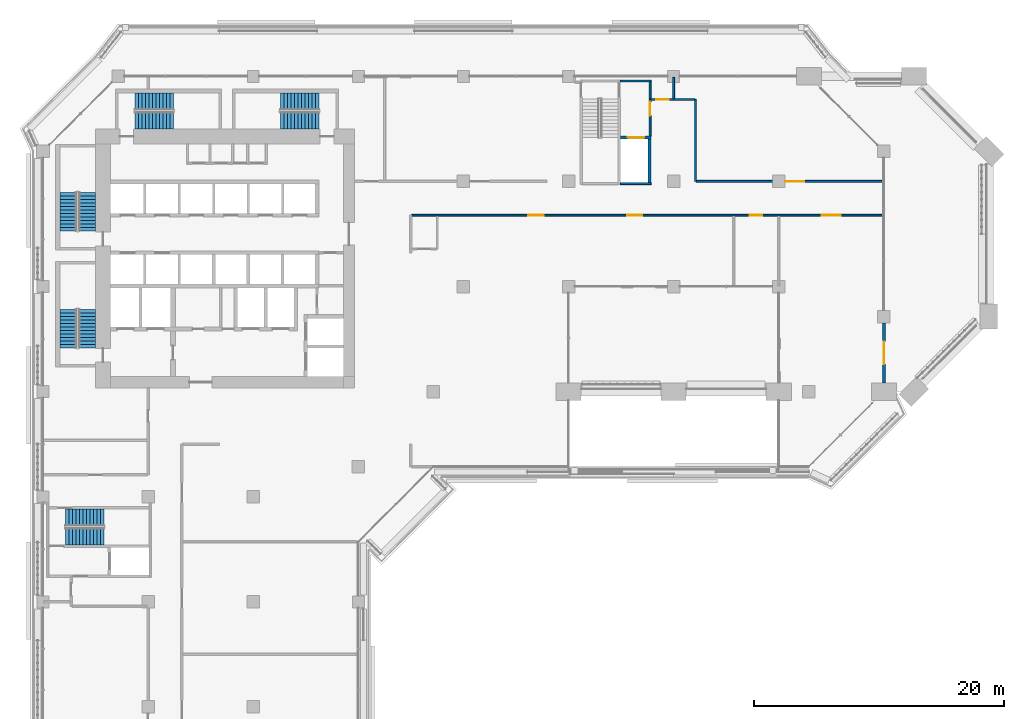
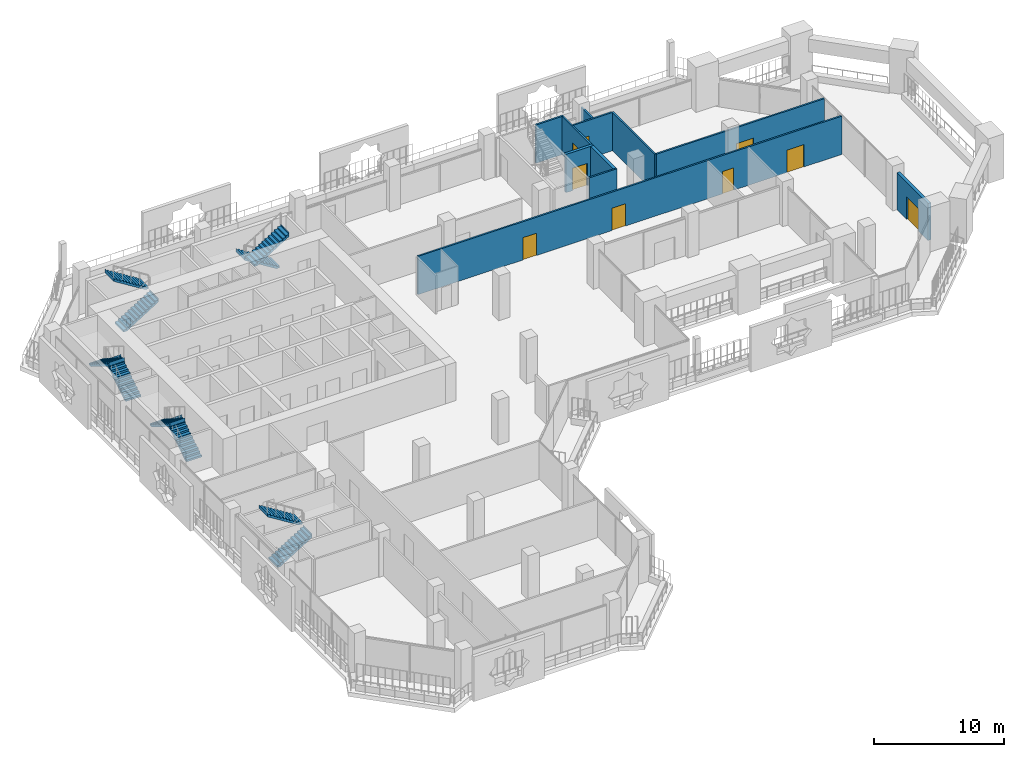
# One storey, part 14 of 23: 11 walls, 10 stair flights, 9 doors, 9 openings, 5 elements without a shape of their own.
"""IFC4 building model written with IfcOpenShell, lengths in metres."""

from ifc_helpers import new_model, si_unit, direction, frame, frame_2d, origin, place, context, subcontext, project, spatial, polyline, rectangle, outline, extrude, material, layer, layer_set, type_object, element, fill, aggregate, save


model = new_model("IFC4")

# Units and contexts
model_context = context("Model", 3, precision=1e-05, world=origin(), true_north=direction((0.0, 1.0)))
body_context = subcontext(model_context, "Body", "Model", "MODEL_VIEW")
ifc_project = project(units=[si_unit("LENGTHUNIT", "METRE"), si_unit("AREAUNIT", "SQUARE_METRE"), si_unit("VOLUMEUNIT", "CUBIC_METRE"), si_unit("PLANEANGLEUNIT", "RADIAN"), si_unit("MASSUNIT", "GRAM", prefix="KILO")], contexts=[model_context])

# Site, building, storey
site_placement = place(None, origin())
site = spatial("IfcSite", under=ifc_project, at=site_placement, CompositionType="ELEMENT")
building_placement = place(site_placement, origin())
building = spatial("IfcBuilding", under=site, at=building_placement, Name="Kawkab Arch Medical Tower", CompositionType="ELEMENT")
storey_placement = place(building_placement, frame((0.0, 0.0, 158.39990234375)))
storey = spatial("IfcBuildingStorey", under=building, at=storey_placement, Name="L36", CompositionType="ELEMENT", Elevation=158.39990234375)

# Wall, opening, door
ifc_material_1 = material(Name="Gypsum board on steel studs", Category="steel")
ifc_layer_1 = layer(ifc_material_1, 0.14990234375)
ifc_layer_set_1 = layer_set([ifc_layer_1], Name="Gypsum board on steel studs")
wall_type_1 = type_object("IfcWallType", Name="Core room partition 150", PredefinedType="PARTITIONING", material=ifc_layer_set_1)
wall_1_placement = place(storey_placement, frame((48.52490234375, -4.77490234375, 0.0), z_axis=(0.0, 0.0, 1.0), x_axis=(0.0, 1.0, 0.0)))
wall_1 = element("IfcWall", 1, at=wall_1_placement, inside=storey, type_object=wall_type_1, Name="L36 core room partition", PredefinedType="PARTITIONING", context=body_context, shape_type="SweptSolid", body=[
    extrude(rectangle(XDim=4.324951171875, YDim=0.14990234375, at=frame_2d((2.16259765625, 0.0))), origin(), (0.0, 0.0, 1.0), 3.60009765625),
])
opening_1_placement = place(wall_1_placement, frame((1.625, 0.0, 0.0)))
opening_1 = element("IfcOpeningElement", 2, at=opening_1_placement, cuts=wall_1, Name="Opening FD", PredefinedType="OPENING", context=body_context, shape_type="SweptSolid", body=[
    extrude(rectangle(XDim=1.10009765625, YDim=2.10009765625, at=frame_2d((0.550048828125, 1.050048828125))), frame((0.0, 0.0849609375, 0.0), z_axis=(0.0, -1.0, 0.0), x_axis=(1.0, 0.0, 0.0)), (0.0, 0.0, 1.0), 0.169921875),
])
ifc_material_2 = material(Name="Hollow metal fire door leaf")
door_type_1 = type_object("IfcDoorType", Name="Firefighting lobby door 1100", OperationType="SINGLE_SWING_LEFT", PredefinedType="DOOR", material=ifc_material_2)
door_1_placement = place(opening_1_placement, origin())
door_1 = element("IfcDoor", 3, at=door_1_placement, inside=storey, type_object=door_type_1, Name="L36 Service lift lobby door SV1", OperationType="SINGLE_SWING_LEFT", OverallHeight=2.10009765625, OverallWidth=1.10009765625, PredefinedType="DOOR", context=body_context, shape_type="SweptSolid", body=[
    extrude(rectangle(XDim=1.10009765625, YDim=2.10009765625, at=frame_2d((0.550048828125, 1.050048828125))), frame((0.0, 0.02490234375, 0.0), z_axis=(0.0, -1.0, 0.0), x_axis=(1.0, 0.0, 0.0)), (0.0, 0.0, 1.0), 0.050048828125),
])
fill(opening_1, door_1)

ifc_material_3 = material(Name="Concrete C60/75", Category="concrete")
ifc_layer_2 = layer(ifc_material_3, 0.25)
ifc_layer_set_2 = layer_set([ifc_layer_2], Name="Concrete C60/75")
wall_type_2 = type_object("IfcWallType", Name="Core shear wall 250 C60/75", PredefinedType="SHEAR", material=ifc_layer_set_2)
wall_2_placement = place(storey_placement, frame((46.14990234375, -4.89990234375, 0.0), z_axis=(0.0, 0.0, 1.0), x_axis=(1.0, 0.0, 0.0)))
wall_2 = element("IfcWall", 4, at=wall_2_placement, inside=storey, type_object=wall_type_2, Name="L36 core shear wall", PredefinedType="SHEAR", context=body_context, shape_type="SweptSolid", body=[
    extrude(rectangle(XDim=2.4501953125, YDim=0.25, at=frame_2d((1.22509765625, 0.0))), origin(), (0.0, 0.0, 1.0), 3.60009765625),
])
opening_2_placement = place(wall_2_placement, frame((0.60009765625, 0.0, 0.0)))
opening_2 = element("IfcOpeningElement", 5, at=opening_2_placement, cuts=wall_2, Name="Opening LD2", PredefinedType="OPENING", context=body_context, shape_type="SweptSolid", body=[
    extrude(rectangle(XDim=1.300048828125, YDim=2.10009765625, at=frame_2d((0.64990234375, 1.050048828125))), frame((0.0, 0.135009765625, 0.0), z_axis=(0.0, -1.0, 0.0), x_axis=(1.0, 0.0, 0.0)), (0.0, 0.0, 1.0), 0.27001953125),
])
ifc_material_4 = material(Name="Stainless steel lift door leaf", Category="steel")
door_type_2 = type_object("IfcDoorType", Name="Lift landing door 1300", OperationType="DOUBLE_DOOR_SLIDING", PredefinedType="DOOR", material=ifc_material_4)
door_2_placement = place(opening_2_placement, origin())
door_2 = element("IfcDoor", 6, at=door_2_placement, inside=storey, type_object=door_type_2, Name="L36 Lift landing door SV1", OperationType="DOUBLE_DOOR_SLIDING", OverallHeight=2.10009765625, OverallWidth=1.300048828125, PredefinedType="DOOR", context=body_context, shape_type="SweptSolid", body=[
    extrude(rectangle(XDim=1.300048828125, YDim=2.10009765625, at=frame_2d((0.64990234375, 1.050048828125))), frame((0.0, 0.02490234375, 0.0), z_axis=(0.0, -1.0, 0.0), x_axis=(1.0, 0.0, 0.0)), (0.0, 0.0, 1.0), 0.050048828125),
])
fill(opening_2, door_2)

# Wall
wall_3_placement = place(storey_placement, frame((48.47509765625, -8.5, 0.0), z_axis=(0.0, 0.0, 1.0), x_axis=(0.0, 1.0, 0.0)))
element("IfcWall", 7, at=wall_3_placement, inside=storey, type_object=wall_type_2, Name="L36 core shear wall", PredefinedType="SHEAR", context=body_context, shape_type="SweptSolid", body=[
    extrude(rectangle(XDim=3.47509765625, YDim=0.25, at=frame_2d((1.737548828125, 0.0))), origin(), (0.0, 0.0, 1.0), 3.60009765625),
])

# Wall, opening, door
ifc_material_5 = material(Name="Bronze clad insulated wall panel")
ifc_layer_3 = layer(ifc_material_5, 0.25)
ifc_layer_set_3 = layer_set([ifc_layer_3], Name="Bronze clad insulated wall panel")
wall_type_3 = type_object("IfcWallType", Name="External wall bay 250", PredefinedType="SOLIDWALL", material=ifc_layer_set_3)
wall_4_placement = place(storey_placement, frame((67.199951171875, -24.5, 0.0), z_axis=(0.0, 0.0, 1.0), x_axis=(0.0, 1.0, 0.0)))
wall_4 = element("IfcWall", 8, at=wall_4_placement, inside=storey, type_object=wall_type_3, Name="External wall bay L36.R07.1.1", PredefinedType="SOLIDWALL", context=body_context, shape_type="SweptSolid", body=[
    extrude(rectangle(XDim=4.800048828125, YDim=0.25, at=frame_2d((2.39990234375, 0.0))), origin(), (0.0, 0.0, 1.0), 3.47998046875),
])
opening_3_placement = place(wall_4_placement, frame((1.5, 0.0, 0.0)))
opening_3 = element("IfcOpeningElement", 9, at=opening_3_placement, cuts=wall_4, Name="Opening B36-701", PredefinedType="OPENING", context=body_context, shape_type="SweptSolid", body=[
    extrude(rectangle(XDim=1.800048828125, YDim=2.10009765625, at=frame_2d((0.89990234375, 1.050048828125))), frame((0.0, 0.135009765625, 0.0), z_axis=(0.0, -1.0, 0.0), x_axis=(1.0, 0.0, 0.0)), (0.0, 0.0, 1.0), 0.27001953125),
])
ifc_material_6 = material(Name="Bronze anodised aluminium door with tinted glass", Category="aluminium")
door_type_3 = type_object("IfcDoorType", Name="Double external door 1800 x 2100", OperationType="DOUBLE_DOOR_SINGLE_SWING", PredefinedType="DOOR", material=ifc_material_6)
door_3_placement = place(opening_3_placement, origin())
door_3 = element("IfcDoor", 10, at=door_3_placement, inside=storey, type_object=door_type_3, Name="External door L36.R07.1.1", OperationType="DOUBLE_DOOR_SINGLE_SWING", OverallHeight=2.10009765625, OverallWidth=1.800048828125, PredefinedType="DOOR", context=body_context, shape_type="SweptSolid", body=[
    extrude(rectangle(XDim=1.800048828125, YDim=2.10009765625, at=frame_2d((0.89990234375, 1.050048828125))), frame((0.0, 0.02490234375, 0.0), z_axis=(0.0, -1.0, 0.0), x_axis=(1.0, 0.0, 0.0)), (0.0, 0.0, 1.0), 0.050048828125),
])
fill(opening_3, door_3)

# Wall, openings, doors
ifc_material_7 = material(Name="Gypsum board partition on steel studs, mineral wool", Category="steel")
ifc_layer_4 = layer(ifc_material_7, 0.14990234375)
ifc_layer_set_4 = layer_set([ifc_layer_4], Name="Gypsum board partition on steel studs, mineral wool")
wall_type_4 = type_object("IfcWallType", Name="Partition 150", PredefinedType="PARTITIONING", material=ifc_layer_set_4)
wall_5_placement = place(storey_placement, frame((29.47509765625, -11.10009765625, 0.0), z_axis=(0.0, 0.0, 1.0), x_axis=(1.0, 0.0, 0.0)))
wall_5 = element("IfcWall", 11, at=wall_5_placement, inside=storey, type_object=wall_type_4, Name="Partition 150 w013", PredefinedType="PARTITIONING", context=body_context, shape_type="SweptSolid", body=[
    extrude(rectangle(XDim=37.64501953125, YDim=0.14990234375, at=frame_2d((18.822509765625, 0.0))), origin(), (0.0, 0.0, 1.0), 3.60009765625),
])
opening_4_placement = place(wall_5_placement, frame((17.22509765625, 0.0, 0.0)))
opening_4 = element("IfcOpeningElement", 12, at=opening_4_placement, cuts=wall_5, Name="Opening B36-016", PredefinedType="OPENING", context=body_context, shape_type="SweptSolid", body=[
    extrude(rectangle(XDim=1.199951171875, YDim=2.10009765625, at=frame_2d((0.60009765625, 1.050048828125))), frame((0.0, 0.0849609375, 0.0), z_axis=(0.0, -1.0, 0.0), x_axis=(1.0, 0.0, 0.0)), (0.0, 0.0, 1.0), 0.169921875),
])
opening_5_placement = place(wall_5_placement, frame((9.324951171875, 0.0, 0.0)))
opening_5 = element("IfcOpeningElement", 13, at=opening_5_placement, cuts=wall_5, Name="Opening B36-017", PredefinedType="OPENING", context=body_context, shape_type="SweptSolid", body=[
    extrude(rectangle(XDim=1.199951171875, YDim=2.10009765625, at=frame_2d((0.60009765625, 1.050048828125))), frame((0.0, 0.0849609375, 0.0), z_axis=(0.0, -1.0, 0.0), x_axis=(1.0, 0.0, 0.0)), (0.0, 0.0, 1.0), 0.169921875),
])
opening_6_placement = place(wall_5_placement, frame((27.02490234375, 0.0, 0.0)))
opening_6 = element("IfcOpeningElement", 14, at=opening_6_placement, cuts=wall_5, Name="Opening B36-012", PredefinedType="OPENING", context=body_context, shape_type="SweptSolid", body=[
    extrude(rectangle(XDim=1.0, YDim=2.10009765625, at=frame_2d((0.5, 1.050048828125))), frame((0.0, 0.0849609375, 0.0), z_axis=(0.0, -1.0, 0.0), x_axis=(1.0, 0.0, 0.0)), (0.0, 0.0, 1.0), 0.169921875),
])
opening_7_placement = place(wall_5_placement, frame((32.77490234375, 0.0, 0.0)))
opening_7 = element("IfcOpeningElement", 15, at=opening_7_placement, cuts=wall_5, Name="Opening B36-002", PredefinedType="OPENING", context=body_context, shape_type="SweptSolid", body=[
    extrude(rectangle(XDim=1.5, YDim=2.10009765625, at=frame_2d((0.75, 1.050048828125))), frame((0.0, 0.0849609375, 0.0), z_axis=(0.0, -1.0, 0.0), x_axis=(1.0, 0.0, 0.0)), (0.0, 0.0, 1.0), 0.169921875),
])
ifc_material_8 = material(Name="Hollow metal door leaf")
door_type_4 = type_object("IfcDoorType", Name="Double door 1500x2100 FD30S", OperationType="NOTDEFINED", PredefinedType="DOOR", material=ifc_material_8)
door_4_placement = place(opening_7_placement, origin())
door_4 = element("IfcDoor", 16, at=door_4_placement, inside=storey, type_object=door_type_4, Name="Door B36-002", OperationType="DOUBLE_DOOR_SINGLE_SWING", OverallHeight=2.10009765625, OverallWidth=1.5, PredefinedType="DOOR", context=body_context, shape_type="SweptSolid", body=[
    extrude(rectangle(XDim=1.5, YDim=2.10009765625, at=frame_2d((0.75, 1.050048828125))), frame((0.0, 0.02490234375, 0.0), z_axis=(0.0, -1.0, 0.0), x_axis=(1.0, 0.0, 0.0)), (0.0, 0.0, 1.0), 0.050048828125),
])
fill(opening_7, door_4)
ifc_material_9 = material(Name="Hollow metal door leaf")
door_type_5 = type_object("IfcDoorType", Name="Single door 1000x2100 FD30S", OperationType="NOTDEFINED", PredefinedType="DOOR", material=ifc_material_9)
door_5_placement = place(opening_6_placement, origin())
door_5 = element("IfcDoor", 17, at=door_5_placement, inside=storey, type_object=door_type_5, Name="Door B36-012", OperationType="SINGLE_SWING_LEFT", OverallHeight=2.10009765625, OverallWidth=1.0, PredefinedType="DOOR", context=body_context, shape_type="SweptSolid", body=[
    extrude(rectangle(XDim=1.0, YDim=2.10009765625, at=frame_2d((0.5, 1.050048828125))), frame((0.0, 0.02490234375, 0.0), z_axis=(0.0, -1.0, 0.0), x_axis=(1.0, 0.0, 0.0)), (0.0, 0.0, 1.0), 0.050048828125),
])
fill(opening_6, door_5)
ifc_material_10 = material(Name="Hollow metal door leaf")
door_type_6 = type_object("IfcDoorType", Name="Single door 1200x2100 FD30S", OperationType="NOTDEFINED", PredefinedType="DOOR", material=ifc_material_10)
door_6_placement = place(opening_4_placement, origin())
door_6 = element("IfcDoor", 18, at=door_6_placement, inside=storey, type_object=door_type_6, Name="Door B36-016", OperationType="SINGLE_SWING_RIGHT", OverallHeight=2.10009765625, OverallWidth=1.199951171875, PredefinedType="DOOR", context=body_context, shape_type="SweptSolid", body=[
    extrude(rectangle(XDim=1.199951171875, YDim=2.10009765625, at=frame_2d((0.60009765625, 1.050048828125))), frame((0.0, 0.02490234375, 0.0), z_axis=(0.0, -1.0, 0.0), x_axis=(1.0, 0.0, 0.0)), (0.0, 0.0, 1.0), 0.050048828125),
])
fill(opening_4, door_6)
door_7_placement = place(opening_5_placement, origin())
door_7 = element("IfcDoor", 19, at=door_7_placement, inside=storey, type_object=door_type_6, Name="Door B36-017", OperationType="SINGLE_SWING_RIGHT", OverallHeight=2.10009765625, OverallWidth=1.199951171875, PredefinedType="DOOR", context=body_context, shape_type="SweptSolid", body=[
    extrude(rectangle(XDim=1.199951171875, YDim=2.10009765625, at=frame_2d((0.60009765625, 1.050048828125))), frame((0.0, 0.02490234375, 0.0), z_axis=(0.0, -1.0, 0.0), x_axis=(1.0, 0.0, 0.0)), (0.0, 0.0, 1.0), 0.050048828125),
])
fill(opening_5, door_7)

# Wall, opening, door
wall_6_placement = place(storey_placement, frame((52.218017578125, -8.39990234375, 0.0), z_axis=(0.0, 0.0, 1.0), x_axis=(1.0, 0.0, 0.0)))
wall_6 = element("IfcWall", 20, at=wall_6_placement, inside=storey, type_object=wall_type_4, Name="Partition 150 w015", PredefinedType="PARTITIONING", context=body_context, shape_type="SweptSolid", body=[
    extrude(rectangle(XDim=14.902099609375, YDim=0.14990234375, at=frame_2d((7.451171875, 0.0))), origin(), (0.0, 0.0, 1.0), 3.60009765625),
])
opening_8_placement = place(wall_6_placement, frame((7.10400390625, 0.0, 0.0)))
opening_8 = element("IfcOpeningElement", 21, at=opening_8_placement, cuts=wall_6, Name="Opening B36-001", PredefinedType="OPENING", context=body_context, shape_type="SweptSolid", body=[
    extrude(rectangle(XDim=1.5, YDim=2.10009765625, at=frame_2d((0.75, 1.050048828125))), frame((0.0, 0.0849609375, 0.0), z_axis=(0.0, -1.0, 0.0), x_axis=(1.0, 0.0, 0.0)), (0.0, 0.0, 1.0), 0.169921875),
])
door_8_placement = place(opening_8_placement, origin())
door_8 = element("IfcDoor", 22, at=door_8_placement, inside=storey, type_object=door_type_4, Name="Door B36-001", OperationType="DOUBLE_DOOR_SINGLE_SWING", OverallHeight=2.10009765625, OverallWidth=1.5, PredefinedType="DOOR", context=body_context, shape_type="SweptSolid", body=[
    extrude(rectangle(XDim=1.5, YDim=2.10009765625, at=frame_2d((0.75, 1.050048828125))), frame((0.0, 0.02490234375, 0.0), z_axis=(0.0, -1.0, 0.0), x_axis=(1.0, 0.0, 0.0)), (0.0, 0.0, 1.0), 0.050048828125),
])
fill(opening_8, door_8)

wall_7_placement = place(storey_placement, frame((48.550048828125, -1.85009765625, 0.0), z_axis=(0.0, 0.0, 1.0), x_axis=(1.0, 0.0, 0.0)))
wall_7 = element("IfcWall", 23, at=wall_7_placement, inside=storey, type_object=wall_type_4, Name="Partition 150 w016", PredefinedType="PARTITIONING", context=body_context, shape_type="SweptSolid", body=[
    extrude(rectangle(XDim=3.51806640625, YDim=0.14990234375, at=frame_2d((1.759033203125, 0.0))), origin(), (0.0, 0.0, 1.0), 3.60009765625),
])
opening_9_placement = place(wall_7_placement, frame((0.449951171875, 0.0, 0.0)))
opening_9 = element("IfcOpeningElement", 24, at=opening_9_placement, cuts=wall_7, Name="Opening B36-011", PredefinedType="OPENING", context=body_context, shape_type="SweptSolid", body=[
    extrude(rectangle(XDim=1.0, YDim=2.10009765625, at=frame_2d((0.5, 1.050048828125))), frame((0.0, 0.0849609375, 0.0), z_axis=(0.0, -1.0, 0.0), x_axis=(1.0, 0.0, 0.0)), (0.0, 0.0, 1.0), 0.169921875),
])
door_9_placement = place(opening_9_placement, origin())
door_9 = element("IfcDoor", 25, at=door_9_placement, inside=storey, type_object=door_type_5, Name="Door B36-011", OperationType="SINGLE_SWING_LEFT", OverallHeight=2.10009765625, OverallWidth=1.0, PredefinedType="DOOR", context=body_context, shape_type="SweptSolid", body=[
    extrude(rectangle(XDim=1.0, YDim=2.10009765625, at=frame_2d((0.5, 1.050048828125))), frame((0.0, 0.02490234375, 0.0), z_axis=(0.0, -1.0, 0.0), x_axis=(1.0, 0.0, 0.0)), (0.0, 0.0, 1.0), 0.050048828125),
])
fill(opening_9, door_9)

# Walls
wall_8_placement = place(storey_placement, frame((50.39990234375, -1.77490234375, 0.0), z_axis=(0.0, 0.0, 1.0), x_axis=(0.0, 1.0, 0.0)))
element("IfcWall", 26, at=wall_8_placement, inside=storey, type_object=wall_type_4, Name="Partition 150 w027", PredefinedType="PARTITIONING", context=body_context, shape_type="SweptSolid", body=[
    extrude(rectangle(XDim=1.69482421875, YDim=0.14990234375, at=frame_2d((0.847412109375, 0.0))), origin(), (0.0, 0.0, 1.0), 3.60009765625),
])
wall_9_placement = place(storey_placement, frame((52.14306640625, -8.39990234375, 0.0), z_axis=(0.0, 0.0, 1.0), x_axis=(0.0, 1.0, 0.0)))
element("IfcWall", 27, at=wall_9_placement, inside=storey, type_object=wall_type_4, Name="Partition 150 w028", PredefinedType="PARTITIONING", context=body_context, shape_type="SweptSolid", body=[
    extrude(rectangle(XDim=6.5498046875, YDim=0.14990234375, at=frame_2d((3.27490234375, 0.0))), origin(), (0.0, 0.0, 1.0), 3.60009765625),
])
ifc_material_11 = material(Name="Concrete C50/60", Category="concrete")
ifc_layer_5 = layer(ifc_material_11, 0.14990234375)
ifc_layer_set_5 = layer_set([ifc_layer_5], Name="Concrete C50/60")
wall_type_5 = type_object("IfcWallType", Name="Stair enclosure wall 150 C50/60", PredefinedType="SHEAR", material=ifc_layer_set_5)
for number, where, z_axis, x_axis, name in (
    (28, (46.14990234375, -0.375, 0.0), (0.0, 0.0, 1.0), (1.0, 0.0, 0.0), "L36 stair enclosure wall"),
    (29, (46.14990234375, -8.574951171875, 0.0), (0.0, 0.0, 1.0), (1.0, 0.0, 0.0), "L36 stair enclosure wall"),
):
    element("IfcWall", number, at=place(storey_placement, frame(where, z_axis=z_axis, x_axis=x_axis)), inside=storey, type_object=wall_type_5, Name=name, PredefinedType="SHEAR", context=body_context, shape_type="SweptSolid", body=[
        extrude(rectangle(XDim=2.4501953125, YDim=0.14990234375, at=frame_2d((1.22509765625, 0.0))), origin(), (0.0, 0.0, 1.0), 3.60009765625),
    ])

# Stair, stair flights
ifc_material_12 = material(Name="Concrete C40/50", Category="concrete")
stair_type = type_object("IfcStairType", Name="Exit stair 1350", PredefinedType="HALF_TURN_STAIR", material=ifc_material_12)
placement = place(storey_placement, origin())
stair_1 = element("IfcStair", 30, at=placement, inside=storey, type_object=stair_type, Name="L36 Exit stair ST1", PredefinedType="HALF_TURN_STAIR")
ifc_material_13 = material(Name="Concrete C40/50", Category="concrete")
stair_flight_type = type_object("IfcStairFlightType", Name="Exit stair flight 1350", PredefinedType="STRAIGHT", material=ifc_material_13)
stair_flight_1_placement = place(storey_placement, frame((3.52490234375, -12.35009765625, 0.0), z_axis=(0.0, 0.0, 1.0), x_axis=(0.0, 1.0, 0.0)))
stair_flight_1 = element("IfcStairFlight", 31, at=stair_flight_1_placement, type_object=stair_flight_type, Name="ST1 flight 1", NumberOfRisers=12, NumberOfTreads=11, PredefinedType="STRAIGHT", RiserHeight=0.175, TreadLength=0.28, context=body_context, shape_type="SweptSolid", body=[
    extrude(outline(polyline([(-0.0029296875, 0.0), (-0.0029296875, 0.175048828125), (0.0, 0.175048828125), (0.280029296875, 0.175048828125), (0.280029296875, 0.35009765625), (0.56005859375, 0.35009765625), (0.56005859375, 0.52490234375), (0.840087890625, 0.52490234375), (0.840087890625, 0.699951171875), (1.1201171875, 0.699951171875), (1.1201171875, 0.875), (1.39990234375, 0.875), (1.39990234375, 1.050048828125), (1.679931640625, 1.050048828125), (1.679931640625, 1.22509765625), (1.9599609375, 1.22509765625), (1.9599609375, 1.39990234375), (2.239990234375, 1.39990234375), (2.239990234375, 1.574951171875), (2.52001953125, 1.574951171875), (2.52001953125, 1.75), (2.800048828125, 1.75), (2.800048828125, 1.925048828125), (3.080078125, 1.925048828125), (3.080078125, 2.10009765625), (3.0830078125, 2.10009765625), (3.0830078125, 1.748291015625), (3.080078125, 1.748291015625), (0.28271484375, 0.0), (-0.0029296875, 0.0)])), frame((0.0, 0.675048828125, 0.0), z_axis=(0.0, -1.0, 0.0), x_axis=(1.0, 0.0, 0.0)), (0.0, 0.0, 1.0), 1.35009765625),
])
stair_flight_2_placement = place(storey_placement, frame((2.02490234375, -9.27001953125, 2.10009765625), z_axis=(0.0, 0.0, 1.0), x_axis=(0.0, -1.0, 0.0)))
stair_flight_2 = element("IfcStairFlight", 32, at=stair_flight_2_placement, type_object=stair_flight_type, Name="ST1 flight 2", NumberOfRisers=12, NumberOfTreads=11, PredefinedType="STRAIGHT", RiserHeight=0.175, TreadLength=0.28, context=body_context, shape_type="SweptSolid", body=[
    extrude(outline(polyline([(-0.0029296875, 0.0), (-0.0029296875, 0.175048828125), (0.0, 0.175048828125), (0.280029296875, 0.175048828125), (0.280029296875, 0.35009765625), (0.56005859375, 0.35009765625), (0.56005859375, 0.52490234375), (0.840087890625, 0.52490234375), (0.840087890625, 0.699951171875), (1.1201171875, 0.699951171875), (1.1201171875, 0.875), (1.39990234375, 0.875), (1.39990234375, 1.050048828125), (1.679931640625, 1.050048828125), (1.679931640625, 1.22509765625), (1.9599609375, 1.22509765625), (1.9599609375, 1.39990234375), (2.239990234375, 1.39990234375), (2.239990234375, 1.574951171875), (2.52001953125, 1.574951171875), (2.52001953125, 1.75), (2.800048828125, 1.75), (2.800048828125, 1.925048828125), (3.080078125, 1.925048828125), (3.080078125, 2.10009765625), (3.0830078125, 2.10009765625), (3.0830078125, 1.748291015625), (3.080078125, 1.748291015625), (0.28271484375, 0.0), (-0.0029296875, 0.0)])), frame((0.0, 0.675048828125, 0.0), z_axis=(0.0, -1.0, 0.0), x_axis=(1.0, 0.0, 0.0)), (0.0, 0.0, 1.0), 1.35009765625),
])
aggregate(stair_1, [stair_flight_1, stair_flight_2])

stair_2 = element("IfcStair", 33, at=placement, inside=storey, type_object=stair_type, Name="L36 Exit stair ST2", PredefinedType="HALF_TURN_STAIR")
stair_flight_3_placement = place(storey_placement, frame((3.52490234375, -21.699951171875, 0.0), z_axis=(0.0, 0.0, 1.0), x_axis=(0.0, 1.0, 0.0)))
stair_flight_3 = element("IfcStairFlight", 34, at=stair_flight_3_placement, type_object=stair_flight_type, Name="ST2 flight 1", NumberOfRisers=12, NumberOfTreads=11, PredefinedType="STRAIGHT", RiserHeight=0.175, TreadLength=0.28, context=body_context, shape_type="SweptSolid", body=[
    extrude(outline(polyline([(-0.0029296875, 0.0), (-0.0029296875, 0.175048828125), (0.0, 0.175048828125), (0.280029296875, 0.175048828125), (0.280029296875, 0.35009765625), (0.56005859375, 0.35009765625), (0.56005859375, 0.52490234375), (0.840087890625, 0.52490234375), (0.840087890625, 0.699951171875), (1.1201171875, 0.699951171875), (1.1201171875, 0.875), (1.39990234375, 0.875), (1.39990234375, 1.050048828125), (1.679931640625, 1.050048828125), (1.679931640625, 1.22509765625), (1.9599609375, 1.22509765625), (1.9599609375, 1.39990234375), (2.239990234375, 1.39990234375), (2.239990234375, 1.574951171875), (2.52001953125, 1.574951171875), (2.52001953125, 1.75), (2.800048828125, 1.75), (2.800048828125, 1.925048828125), (3.080078125, 1.925048828125), (3.080078125, 2.10009765625), (3.0830078125, 2.10009765625), (3.0830078125, 1.748291015625), (3.080078125, 1.748291015625), (0.28271484375, 0.0), (-0.0029296875, 0.0)])), frame((0.0, 0.675048828125, 0.0), z_axis=(0.0, -1.0, 0.0), x_axis=(1.0, 0.0, 0.0)), (0.0, 0.0, 1.0), 1.35009765625),
])
stair_flight_4_placement = place(storey_placement, frame((2.02490234375, -18.6201171875, 2.10009765625), z_axis=(0.0, 0.0, 1.0), x_axis=(0.0, -1.0, 0.0)))
stair_flight_4 = element("IfcStairFlight", 35, at=stair_flight_4_placement, type_object=stair_flight_type, Name="ST2 flight 2", NumberOfRisers=12, NumberOfTreads=11, PredefinedType="STRAIGHT", RiserHeight=0.175, TreadLength=0.28, context=body_context, shape_type="SweptSolid", body=[
    extrude(outline(polyline([(-0.0029296875, 0.0), (-0.0029296875, 0.175048828125), (0.0, 0.175048828125), (0.280029296875, 0.175048828125), (0.280029296875, 0.35009765625), (0.56005859375, 0.35009765625), (0.56005859375, 0.52490234375), (0.840087890625, 0.52490234375), (0.840087890625, 0.699951171875), (1.1201171875, 0.699951171875), (1.1201171875, 0.875), (1.39990234375, 0.875), (1.39990234375, 1.050048828125), (1.679931640625, 1.050048828125), (1.679931640625, 1.22509765625), (1.9599609375, 1.22509765625), (1.9599609375, 1.39990234375), (2.239990234375, 1.39990234375), (2.239990234375, 1.574951171875), (2.52001953125, 1.574951171875), (2.52001953125, 1.75), (2.800048828125, 1.75), (2.800048828125, 1.925048828125), (3.080078125, 1.925048828125), (3.080078125, 2.10009765625), (3.0830078125, 2.10009765625), (3.0830078125, 1.748291015625), (3.080078125, 1.748291015625), (0.28271484375, 0.0), (-0.0029296875, 0.0)])), frame((0.0, 0.675048828125, 0.0), z_axis=(0.0, -1.0, 0.0), x_axis=(1.0, 0.0, 0.0)), (0.0, 0.0, 1.0), 1.35009765625),
])
aggregate(stair_2, [stair_flight_3, stair_flight_4])

stair_3 = element("IfcStair", 36, at=placement, inside=storey, type_object=stair_type, Name="L36 Exit stair ST3", PredefinedType="HALF_TURN_STAIR")
stair_flight_5_placement = place(storey_placement, frame((7.35009765625, -3.52490234375, 0.0), z_axis=(0.0, 0.0, 1.0), x_axis=(1.0, 0.0, 0.0)))
stair_flight_5 = element("IfcStairFlight", 37, at=stair_flight_5_placement, type_object=stair_flight_type, Name="ST3 flight 1", NumberOfRisers=12, NumberOfTreads=11, PredefinedType="STRAIGHT", RiserHeight=0.175, TreadLength=0.28, context=body_context, shape_type="SweptSolid", body=[
    extrude(outline(polyline([(-0.0029296875, 0.0), (-0.0029296875, 0.175048828125), (0.0, 0.175048828125), (0.280029296875, 0.175048828125), (0.280029296875, 0.35009765625), (0.56005859375, 0.35009765625), (0.56005859375, 0.52490234375), (0.840087890625, 0.52490234375), (0.840087890625, 0.699951171875), (1.1201171875, 0.699951171875), (1.1201171875, 0.875), (1.39990234375, 0.875), (1.39990234375, 1.050048828125), (1.679931640625, 1.050048828125), (1.679931640625, 1.22509765625), (1.9599609375, 1.22509765625), (1.9599609375, 1.39990234375), (2.239990234375, 1.39990234375), (2.239990234375, 1.574951171875), (2.52001953125, 1.574951171875), (2.52001953125, 1.75), (2.800048828125, 1.75), (2.800048828125, 1.925048828125), (3.080078125, 1.925048828125), (3.080078125, 2.10009765625), (3.0830078125, 2.10009765625), (3.0830078125, 1.748291015625), (3.080078125, 1.748291015625), (0.28271484375, 0.0), (-0.0029296875, 0.0)])), frame((0.0, 0.675048828125, 0.0), z_axis=(0.0, -1.0, 0.0), x_axis=(1.0, 0.0, 0.0)), (0.0, 0.0, 1.0), 1.35009765625),
])
stair_flight_6_placement = place(storey_placement, frame((10.429931640625, -2.02490234375, 2.10009765625), z_axis=(0.0, 0.0, 1.0), x_axis=(-1.0, 0.0, 0.0)))
stair_flight_6 = element("IfcStairFlight", 38, at=stair_flight_6_placement, type_object=stair_flight_type, Name="ST3 flight 2", NumberOfRisers=12, NumberOfTreads=11, PredefinedType="STRAIGHT", RiserHeight=0.175, TreadLength=0.28, context=body_context, shape_type="SweptSolid", body=[
    extrude(outline(polyline([(-0.0029296875, 0.0), (-0.0029296875, 0.175048828125), (0.0, 0.175048828125), (0.280029296875, 0.175048828125), (0.280029296875, 0.35009765625), (0.56005859375, 0.35009765625), (0.56005859375, 0.52490234375), (0.840087890625, 0.52490234375), (0.840087890625, 0.699951171875), (1.1201171875, 0.699951171875), (1.1201171875, 0.875), (1.39990234375, 0.875), (1.39990234375, 1.050048828125), (1.679931640625, 1.050048828125), (1.679931640625, 1.22509765625), (1.9599609375, 1.22509765625), (1.9599609375, 1.39990234375), (2.239990234375, 1.39990234375), (2.239990234375, 1.574951171875), (2.52001953125, 1.574951171875), (2.52001953125, 1.75), (2.800048828125, 1.75), (2.800048828125, 1.925048828125), (3.080078125, 1.925048828125), (3.080078125, 2.10009765625), (3.0830078125, 2.10009765625), (3.0830078125, 1.748291015625), (3.080078125, 1.748291015625), (0.28271484375, 0.0), (-0.0029296875, 0.0)])), frame((0.0, 0.675048828125, 0.0), z_axis=(0.0, -1.0, 0.0), x_axis=(1.0, 0.0, 0.0)), (0.0, 0.0, 1.0), 1.35009765625),
])
aggregate(stair_3, [stair_flight_5, stair_flight_6])

stair_4 = element("IfcStair", 39, at=placement, inside=storey, type_object=stair_type, Name="L36 Exit stair ST4", PredefinedType="HALF_TURN_STAIR")
stair_flight_7_placement = place(storey_placement, frame((22.050048828125, -2.02490234375, 0.0), z_axis=(0.0, 0.0, 1.0), x_axis=(-1.0, 0.0, 0.0)))
stair_flight_7 = element("IfcStairFlight", 40, at=stair_flight_7_placement, type_object=stair_flight_type, Name="ST4 flight 1", NumberOfRisers=12, NumberOfTreads=11, PredefinedType="STRAIGHT", RiserHeight=0.175, TreadLength=0.28, context=body_context, shape_type="SweptSolid", body=[
    extrude(outline(polyline([(-0.0029296875, 0.0), (-0.0029296875, 0.175048828125), (0.0, 0.175048828125), (0.280029296875, 0.175048828125), (0.280029296875, 0.35009765625), (0.56005859375, 0.35009765625), (0.56005859375, 0.52490234375), (0.840087890625, 0.52490234375), (0.840087890625, 0.699951171875), (1.1201171875, 0.699951171875), (1.1201171875, 0.875), (1.39990234375, 0.875), (1.39990234375, 1.050048828125), (1.679931640625, 1.050048828125), (1.679931640625, 1.22509765625), (1.9599609375, 1.22509765625), (1.9599609375, 1.39990234375), (2.239990234375, 1.39990234375), (2.239990234375, 1.574951171875), (2.52001953125, 1.574951171875), (2.52001953125, 1.75), (2.800048828125, 1.75), (2.800048828125, 1.925048828125), (3.080078125, 1.925048828125), (3.080078125, 2.10009765625), (3.0830078125, 2.10009765625), (3.0830078125, 1.748291015625), (3.080078125, 1.748291015625), (0.28271484375, 0.0), (-0.0029296875, 0.0)])), frame((0.0, 0.675048828125, 0.0), z_axis=(0.0, -1.0, 0.0), x_axis=(1.0, 0.0, 0.0)), (0.0, 0.0, 1.0), 1.35009765625),
])
stair_flight_8_placement = place(storey_placement, frame((18.969970703125, -3.52490234375, 2.10009765625), z_axis=(0.0, 0.0, 1.0), x_axis=(1.0, 0.0, 0.0)))
stair_flight_8 = element("IfcStairFlight", 41, at=stair_flight_8_placement, type_object=stair_flight_type, Name="ST4 flight 2", NumberOfRisers=12, NumberOfTreads=11, PredefinedType="STRAIGHT", RiserHeight=0.175, TreadLength=0.28, context=body_context, shape_type="SweptSolid", body=[
    extrude(outline(polyline([(-0.0029296875, 0.0), (-0.0029296875, 0.175048828125), (0.0, 0.175048828125), (0.280029296875, 0.175048828125), (0.280029296875, 0.35009765625), (0.56005859375, 0.35009765625), (0.56005859375, 0.52490234375), (0.840087890625, 0.52490234375), (0.840087890625, 0.699951171875), (1.1201171875, 0.699951171875), (1.1201171875, 0.875), (1.39990234375, 0.875), (1.39990234375, 1.050048828125), (1.679931640625, 1.050048828125), (1.679931640625, 1.22509765625), (1.9599609375, 1.22509765625), (1.9599609375, 1.39990234375), (2.239990234375, 1.39990234375), (2.239990234375, 1.574951171875), (2.52001953125, 1.574951171875), (2.52001953125, 1.75), (2.800048828125, 1.75), (2.800048828125, 1.925048828125), (3.080078125, 1.925048828125), (3.080078125, 2.10009765625), (3.0830078125, 2.10009765625), (3.0830078125, 1.748291015625), (3.080078125, 1.748291015625), (0.28271484375, 0.0), (-0.0029296875, 0.0)])), frame((0.0, 0.675048828125, 0.0), z_axis=(0.0, -1.0, 0.0), x_axis=(1.0, 0.0, 0.0)), (0.0, 0.0, 1.0), 1.35009765625),
])
aggregate(stair_4, [stair_flight_7, stair_flight_8])

stair_5 = element("IfcStair", 42, at=placement, inside=storey, type_object=stair_type, Name="L36 Exit stair ST6", PredefinedType="HALF_TURN_STAIR")
stair_flight_9_placement = place(storey_placement, frame((1.800048828125, -36.77490234375, 0.0), z_axis=(0.0, 0.0, 1.0), x_axis=(1.0, 0.0, 0.0)))
stair_flight_9 = element("IfcStairFlight", 43, at=stair_flight_9_placement, type_object=stair_flight_type, Name="ST6 flight 1", NumberOfRisers=12, NumberOfTreads=11, PredefinedType="STRAIGHT", RiserHeight=0.175, TreadLength=0.28, context=body_context, shape_type="SweptSolid", body=[
    extrude(outline(polyline([(-0.0029296875, 0.0), (-0.0029296875, 0.175048828125), (0.0, 0.175048828125), (0.280029296875, 0.175048828125), (0.280029296875, 0.35009765625), (0.56005859375, 0.35009765625), (0.56005859375, 0.52490234375), (0.840087890625, 0.52490234375), (0.840087890625, 0.699951171875), (1.1201171875, 0.699951171875), (1.1201171875, 0.875), (1.39990234375, 0.875), (1.39990234375, 1.050048828125), (1.679931640625, 1.050048828125), (1.679931640625, 1.22509765625), (1.9599609375, 1.22509765625), (1.9599609375, 1.39990234375), (2.239990234375, 1.39990234375), (2.239990234375, 1.574951171875), (2.52001953125, 1.574951171875), (2.52001953125, 1.75), (2.800048828125, 1.75), (2.800048828125, 1.925048828125), (3.080078125, 1.925048828125), (3.080078125, 2.10009765625), (3.0830078125, 2.10009765625), (3.0830078125, 1.748291015625), (3.080078125, 1.748291015625), (0.28271484375, 0.0), (-0.0029296875, 0.0)])), frame((0.0, 0.675048828125, 0.0), z_axis=(0.0, -1.0, 0.0), x_axis=(1.0, 0.0, 0.0)), (0.0, 0.0, 1.0), 1.35009765625),
])
stair_flight_10_placement = place(storey_placement, frame((4.8798828125, -35.27490234375, 2.10009765625), z_axis=(0.0, 0.0, 1.0), x_axis=(-1.0, 0.0, 0.0)))
stair_flight_10 = element("IfcStairFlight", 44, at=stair_flight_10_placement, type_object=stair_flight_type, Name="ST6 flight 2", NumberOfRisers=12, NumberOfTreads=11, PredefinedType="STRAIGHT", RiserHeight=0.175, TreadLength=0.28, context=body_context, shape_type="SweptSolid", body=[
    extrude(outline(polyline([(-0.0029296875, 0.0), (-0.0029296875, 0.175048828125), (0.0, 0.175048828125), (0.280029296875, 0.175048828125), (0.280029296875, 0.35009765625), (0.56005859375, 0.35009765625), (0.56005859375, 0.52490234375), (0.840087890625, 0.52490234375), (0.840087890625, 0.699951171875), (1.1201171875, 0.699951171875), (1.1201171875, 0.875), (1.39990234375, 0.875), (1.39990234375, 1.050048828125), (1.679931640625, 1.050048828125), (1.679931640625, 1.22509765625), (1.9599609375, 1.22509765625), (1.9599609375, 1.39990234375), (2.239990234375, 1.39990234375), (2.239990234375, 1.574951171875), (2.52001953125, 1.574951171875), (2.52001953125, 1.75), (2.800048828125, 1.75), (2.800048828125, 1.925048828125), (3.080078125, 1.925048828125), (3.080078125, 2.10009765625), (3.0830078125, 2.10009765625), (3.0830078125, 1.748291015625), (3.080078125, 1.748291015625), (0.28271484375, 0.0), (-0.0029296875, 0.0)])), frame((0.0, 0.675048828125, 0.0), z_axis=(0.0, -1.0, 0.0), x_axis=(1.0, 0.0, 0.0)), (0.0, 0.0, 1.0), 1.35009765625),
])
aggregate(stair_5, [stair_flight_9, stair_flight_10])

save(model, "model.ifc")
